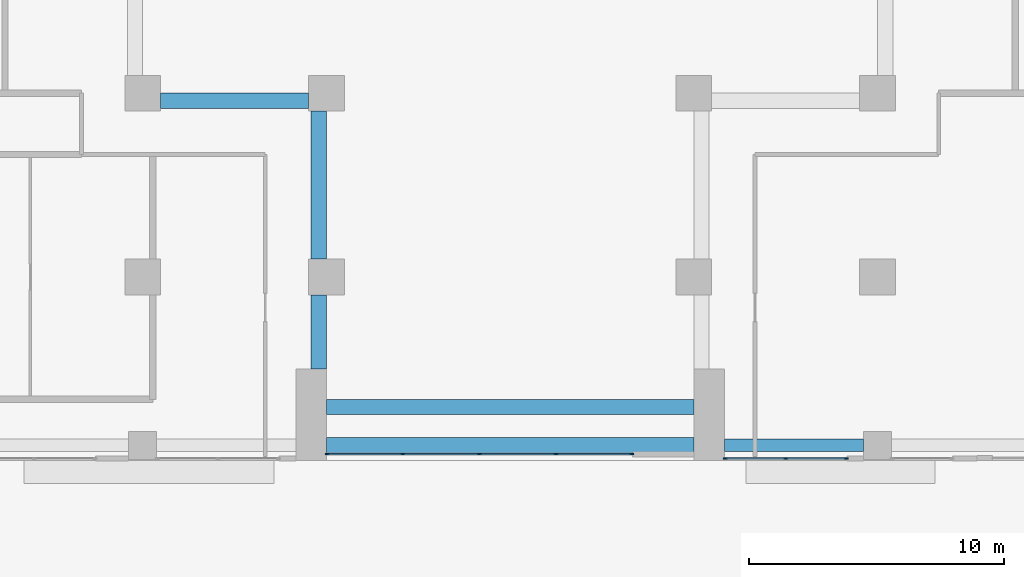
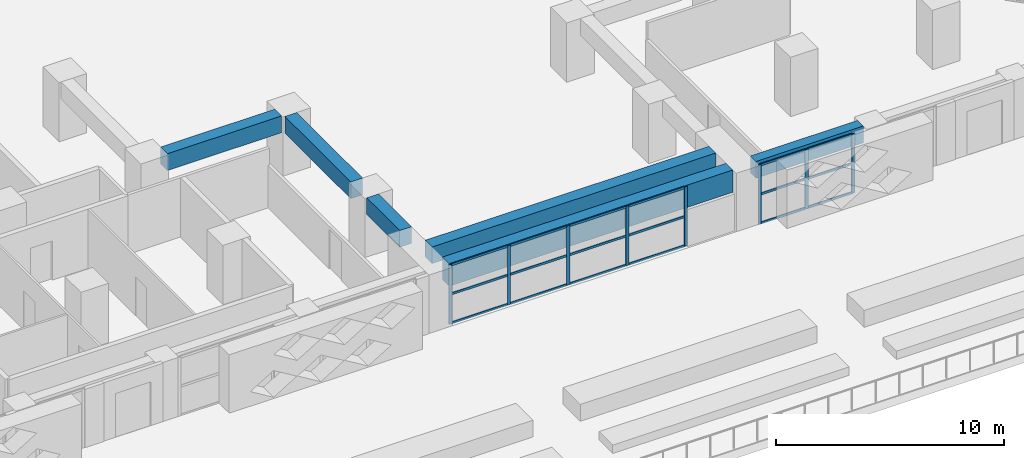
# One storey, part 3 of 24: 26 members, 6 beams, 2 elements without a shape of their own.
"""IFC4 building model written with IfcOpenShell, lengths in metres."""

from ifc_helpers import new_model, si_unit, direction, frame, origin, origin_2d, place, context, subcontext, project, spatial, rectangle, extrude, source, transform, mapped, material, layer, layer_set, material_profile, profile_set, type_object, element, aggregate, save


model = new_model("IFC4")

# Units and contexts
model_context = context("Model", 3, precision=1e-05, world=origin(), true_north=direction((0.0, 1.0)))
body_context = subcontext(model_context, "Body", "Model", "MODEL_VIEW")
ifc_project = project(units=[si_unit("LENGTHUNIT", "METRE"), si_unit("AREAUNIT", "SQUARE_METRE"), si_unit("VOLUMEUNIT", "CUBIC_METRE"), si_unit("PLANEANGLEUNIT", "RADIAN"), si_unit("MASSUNIT", "GRAM", prefix="KILO")], contexts=[model_context])

# Site, building, storey
site_placement = place(None, origin())
site = spatial("IfcSite", under=ifc_project, at=site_placement, CompositionType="ELEMENT")
building_placement = place(site_placement, origin())
building = spatial("IfcBuilding", under=site, at=building_placement, Name="Saffron Iwan Residences", CompositionType="ELEMENT")
storey_placement = place(building_placement, frame((0.0, 0.0, 27.0)))
storey = spatial("IfcBuildingStorey", under=building, at=storey_placement, Name="L05", CompositionType="ELEMENT", Elevation=27.0)

# Beams
ifc_material_1 = material(Name="Concrete C60/75", Category="concrete")
ifc_material_profile_1 = material_profile(ifc_material_1, rectangle(XDim=0.5, YDim=0.89990234375, at=origin_2d()), Name="RC 500x900")
ifc_profile_set_1 = profile_set([ifc_material_profile_1], Name="Concrete C60/75")
beam_type_1 = type_object("IfcBeamType", Name="SPANDREL BEAM RC 500x900 C60/75 TOP 3180", PredefinedType="SPANDREL", material=ifc_profile_set_1)
shared_shape_1 = source(origin(), body_context, "Body", "SweptSolid", [
    extrude(rectangle(XDim=0.5, YDim=0.89990234375, at=origin_2d()), origin(), (0.0, 0.0, 1.0), 5.449951171875),
])
beam_1_placement = place(storey_placement, frame((64.25, 34.199951171875, 2.72998046875), z_axis=(-1.0, 0.0, 0.0), x_axis=(0.0, -1.0, 0.0)))
element("IfcBeam", 1, at=beam_1_placement, inside=storey, type_object=beam_type_1, Name="Spandrel beam", PredefinedType="SPANDREL", context=body_context, shape_type="MappedRepresentation", body=[
    mapped(shared_shape_1, transform((0.0, 0.0, 0.0))),
])
ifc_material_profile_2 = material_profile(ifc_material_1, rectangle(XDim=0.60009765625, YDim=1.199951171875, at=origin_2d()), Name="RC 600x1200")
ifc_profile_set_2 = profile_set([ifc_material_profile_2], Name="Concrete C60/75")
beam_type_2 = type_object("IfcBeamType", Name="LINTEL BEAM RC 600x1200 C60/75 TOP 3180", PredefinedType="LINTEL", material=ifc_profile_set_2)
shared_shape_2 = source(origin(), body_context, "Body", "SweptSolid", [
    extrude(rectangle(XDim=0.60009765625, YDim=1.199951171875, at=origin_2d()), origin(), (0.0, 0.0, 1.0), 14.400146484375),
])
beam_2_placement = place(storey_placement, frame((57.60009765625, 34.199951171875, 2.580078125), z_axis=(-1.0, 0.0, 0.0), x_axis=(0.0, -1.0, 0.0)))
element("IfcBeam", 2, at=beam_2_placement, inside=storey, type_object=beam_type_2, Name="Lintel beam over the iwan", PredefinedType="LINTEL", context=body_context, shape_type="MappedRepresentation", body=[
    mapped(shared_shape_2, transform((0.0, 0.0, 0.0))),
])
ifc_material_profile_3 = material_profile(ifc_material_1, rectangle(XDim=0.60009765625, YDim=0.89990234375, at=origin_2d()), Name="RC 600x900")
ifc_profile_set_3 = profile_set([ifc_material_profile_3], Name="Concrete C60/75")
beam_type_3 = type_object("IfcBeamType", Name="BEAM RC 600x900 C60/75 TOP 3180", PredefinedType="BEAM", material=ifc_profile_set_3)
shared_shape_3 = source(origin(), body_context, "Body", "SweptSolid", [
    extrude(rectangle(XDim=0.60009765625, YDim=0.89990234375, at=origin_2d()), origin(), (0.0, 0.0, 1.0), 14.400146484375),
])
beam_3_placement = place(storey_placement, frame((57.60009765625, 35.699951171875, 2.72998046875), z_axis=(-1.0, 0.0, 0.0), x_axis=(0.0, -1.0, 0.0)))
element("IfcBeam", 3, at=beam_3_placement, inside=storey, type_object=beam_type_3, Name="Atrium edge beam", PredefinedType="BEAM", context=body_context, shape_type="MappedRepresentation", body=[
    mapped(shared_shape_3, transform((0.0, 0.0, 0.0))),
])
shared_shape_4 = source(origin(), body_context, "Body", "SweptSolid", [
    extrude(rectangle(XDim=0.60009765625, YDim=0.89990234375, at=origin_2d()), origin(), (0.0, 0.0, 1.0), 2.900146484375),
])
beam_4_placement = place(storey_placement, frame((42.89990234375, 37.199951171875, 2.72998046875), z_axis=(0.0, 1.0, 0.0), x_axis=(-1.0, 0.0, 0.0)))
element("IfcBeam", 4, at=beam_4_placement, inside=storey, type_object=beam_type_3, Name="Atrium edge beam", PredefinedType="BEAM", context=body_context, shape_type="MappedRepresentation", body=[
    mapped(shared_shape_4, transform((0.0, 0.0, 0.0))),
])
shared_shape_5 = source(origin(), body_context, "Body", "SweptSolid", [
    extrude(rectangle(XDim=0.60009765625, YDim=0.89990234375, at=origin_2d()), origin(), (0.0, 0.0, 1.0), 5.800048828125),
])
for number, where, z_axis, x_axis, name in (
    (5, (42.89990234375, 41.5, 2.72998046875), (0.0, 1.0, 0.0), (-1.0, 0.0, 0.0), "Atrium edge beam"),
    (6, (42.5, 47.699951171875, 2.72998046875), (-1.0, 0.0, 0.0), (0.0, -1.0, 0.0), "Atrium edge beam"),
):
    element("IfcBeam", number, at=place(storey_placement, frame(where, z_axis=z_axis, x_axis=x_axis)), inside=storey, type_object=beam_type_3, Name=name, PredefinedType="BEAM", context=body_context, shape_type="MappedRepresentation", body=[
        mapped(shared_shape_5, transform((0.0, 0.0, 0.0))),
    ])

# Curtain wall, members
ifc_material_2 = material(Name="Clear glass, laminated double glazed", Category="glass")
ifc_layer_1 = layer(ifc_material_2, 0.14990234375)
ifc_layer_set_1 = layer_set([ifc_layer_1], Name="Clear glass, laminated double glazed")
curtain_wall_type_1 = type_object("IfcCurtainWallType", Name="CW-D GARDEN FLOOR GLAZING", PredefinedType="NOTDEFINED", material=ifc_layer_set_1)
curtain_wall_1_placement = place(storey_placement, origin())
curtain_wall_1 = element("IfcCurtainWall", 7, at=curtain_wall_1_placement, inside=storey, type_object=curtain_wall_type_1, Name="Glazing L05 F11.4", PredefinedType="NOTDEFINED")
ifc_material_3 = material(Name="Aluminium 6063-T6", Category="aluminium")
ifc_material_profile_4 = material_profile(ifc_material_3, rectangle(XDim=0.06005859375, YDim=0.159912109375, at=origin_2d()), Name="CW-D MULLION 60 x 160")
ifc_profile_set_4 = profile_set([ifc_material_profile_4], Name="Aluminium 6063-T6")
member_type_1 = type_object("IfcMemberType", Name="CW-D MULLION 60 x 160", PredefinedType="MULLION", material=ifc_profile_set_4)
shared_shape_6 = source(origin(), body_context, "Body", "SweptSolid", [
    extrude(rectangle(XDim=0.06005859375, YDim=0.159912109375, at=origin_2d()), origin(), (0.0, 0.0, 1.0), 3.179931640625),
])
member_1_placement = place(storey_placement, frame((58.830078125, 33.679931640625, 0.0), z_axis=(0.0, 0.0, 1.0), x_axis=(0.0, 1.0, 0.0)))
member_1 = element("IfcMember", 8, at=member_1_placement, type_object=member_type_1, Name="CW-D mullion 1", PredefinedType="MULLION", context=body_context, shape_type="MappedRepresentation", body=[
    mapped(shared_shape_6, transform((0.0, 0.0, 0.0))),
])
member_2_placement = place(storey_placement, frame((61.199951171875, 33.679931640625, 0.0), z_axis=(0.0, 0.0, 1.0), x_axis=(0.0, 1.0, 0.0)))
member_2 = element("IfcMember", 9, at=member_2_placement, type_object=member_type_1, Name="CW-D mullion 2", PredefinedType="MULLION", context=body_context, shape_type="MappedRepresentation", body=[
    mapped(shared_shape_6, transform((0.0, 0.0, 0.0))),
])
member_3_placement = place(storey_placement, frame((63.570068359375, 33.679931640625, 0.0), z_axis=(0.0, 0.0, 1.0), x_axis=(0.0, 1.0, 0.0)))
member_3 = element("IfcMember", 10, at=member_3_placement, type_object=member_type_1, Name="CW-D mullion 3", PredefinedType="MULLION", context=body_context, shape_type="MappedRepresentation", body=[
    mapped(shared_shape_6, transform((0.0, 0.0, 0.0))),
])
ifc_material_profile_5 = material_profile(ifc_material_3, rectangle(XDim=0.06005859375, YDim=0.1201171875, at=origin_2d()), Name="CW-D TRANSOM 60 x 120")
ifc_profile_set_5 = profile_set([ifc_material_profile_5], Name="Aluminium 6063-T6")
member_type_2 = type_object("IfcMemberType", Name="CW-D TRANSOM 60 x 120", PredefinedType="USERDEFINED", material=ifc_profile_set_5)
shared_shape_7 = source(origin(), body_context, "Body", "SweptSolid", [
    extrude(rectangle(XDim=0.06005859375, YDim=0.1201171875, at=origin_2d()), origin(), (0.0, 0.0, 1.0), 2.31005859375),
])
member_4_placement = place(storey_placement, frame((61.22998046875, 33.679931640625, 0.030029296875), z_axis=(1.0, 0.0, 0.0), x_axis=(0.0, 1.0, 0.0)))
member_4 = element("IfcMember", 11, at=member_4_placement, type_object=member_type_2, Name="CW-D transom 2.1", ObjectType="TRANSOM", PredefinedType="USERDEFINED", context=body_context, shape_type="MappedRepresentation", body=[
    mapped(shared_shape_7, transform((0.0, 0.0, 0.0))),
])
member_5_placement = place(storey_placement, frame((61.22998046875, 33.679931640625, 1.590087890625), z_axis=(1.0, 0.0, 0.0), x_axis=(0.0, 1.0, 0.0)))
member_5 = element("IfcMember", 12, at=member_5_placement, type_object=member_type_2, Name="CW-D transom 2.2", ObjectType="TRANSOM", PredefinedType="USERDEFINED", context=body_context, shape_type="MappedRepresentation", body=[
    mapped(shared_shape_7, transform((0.0, 0.0, 0.0))),
])
member_6_placement = place(storey_placement, frame((61.22998046875, 33.679931640625, 3.14990234375), z_axis=(1.0, 0.0, 0.0), x_axis=(0.0, 1.0, 0.0)))
member_6 = element("IfcMember", 13, at=member_6_placement, type_object=member_type_2, Name="CW-D transom 2.3", ObjectType="TRANSOM", PredefinedType="USERDEFINED", context=body_context, shape_type="MappedRepresentation", body=[
    mapped(shared_shape_7, transform((0.0, 0.0, 0.0))),
])
shared_shape_8 = source(origin(), body_context, "Body", "SweptSolid", [
    extrude(rectangle(XDim=0.06005859375, YDim=0.1201171875, at=origin_2d()), origin(), (0.0, 0.0, 1.0), 2.309814453125),
])
member_7_placement = place(storey_placement, frame((58.860107421875, 33.679931640625, 0.030029296875), z_axis=(1.0, 0.0, 0.0), x_axis=(0.0, 1.0, 0.0)))
member_7 = element("IfcMember", 14, at=member_7_placement, type_object=member_type_2, Name="CW-D transom 1.1", ObjectType="TRANSOM", PredefinedType="USERDEFINED", context=body_context, shape_type="MappedRepresentation", body=[
    mapped(shared_shape_8, transform((0.0, 0.0, 0.0))),
])
member_8_placement = place(storey_placement, frame((58.860107421875, 33.679931640625, 1.590087890625), z_axis=(1.0, 0.0, 0.0), x_axis=(0.0, 1.0, 0.0)))
member_8 = element("IfcMember", 15, at=member_8_placement, type_object=member_type_2, Name="CW-D transom 1.2", ObjectType="TRANSOM", PredefinedType="USERDEFINED", context=body_context, shape_type="MappedRepresentation", body=[
    mapped(shared_shape_8, transform((0.0, 0.0, 0.0))),
])
member_9_placement = place(storey_placement, frame((58.860107421875, 33.679931640625, 3.14990234375), z_axis=(1.0, 0.0, 0.0), x_axis=(0.0, 1.0, 0.0)))
member_9 = element("IfcMember", 16, at=member_9_placement, type_object=member_type_2, Name="CW-D transom 1.3", ObjectType="TRANSOM", PredefinedType="USERDEFINED", context=body_context, shape_type="MappedRepresentation", body=[
    mapped(shared_shape_8, transform((0.0, 0.0, 0.0))),
])
aggregate(curtain_wall_1, [member_1, member_2, member_3, member_7, member_8, member_9, member_4, member_5, member_6])

ifc_layer_2 = layer(ifc_material_2, 0.199951171875)
ifc_layer_set_2 = layer_set([ifc_layer_2], Name="Clear glass, laminated double glazed")
curtain_wall_type_2 = type_object("IfcCurtainWallType", Name="CW-B IWAN PORTAL", PredefinedType="NOTDEFINED", material=ifc_layer_set_2)
curtain_wall_2_placement = place(storey_placement, origin())
curtain_wall_2 = element("IfcCurtainWall", 17, at=curtain_wall_2_placement, inside=storey, type_object=curtain_wall_type_2, Name="Iwan portal glazing L05.1", PredefinedType="NOTDEFINED")
ifc_material_profile_6 = material_profile(ifc_material_3, rectangle(XDim=0.06005859375, YDim=0.159912109375, at=origin_2d()), Name="CW-B MULLION 60 x 160")
ifc_profile_set_6 = profile_set([ifc_material_profile_6], Name="Aluminium 6063-T6")
member_type_3 = type_object("IfcMemberType", Name="CW-B MULLION 60 x 160", PredefinedType="MULLION", material=ifc_profile_set_6)
shared_shape_9 = source(origin(), body_context, "Body", "SweptSolid", [
    extrude(rectangle(XDim=0.06005859375, YDim=0.159912109375, at=origin_2d()), origin(), (0.0, 0.0, 1.0), 3.179931640625),
])
member_10_placement = place(storey_placement, frame((43.22998046875, 33.85009765625, 0.0), z_axis=(0.0, 0.0, 1.0), x_axis=(0.0, 1.0, 0.0)))
member_10 = element("IfcMember", 18, at=member_10_placement, type_object=member_type_3, Name="CW-B mullion 1", PredefinedType="MULLION", context=body_context, shape_type="MappedRepresentation", body=[
    mapped(shared_shape_9, transform((0.0, 0.0, 0.0))),
])
member_11_placement = place(storey_placement, frame((46.199951171875, 33.85009765625, 0.0), z_axis=(0.0, 0.0, 1.0), x_axis=(0.0, 1.0, 0.0)))
member_11 = element("IfcMember", 19, at=member_11_placement, type_object=member_type_3, Name="CW-B mullion 2", PredefinedType="MULLION", context=body_context, shape_type="MappedRepresentation", body=[
    mapped(shared_shape_9, transform((0.0, 0.0, 0.0))),
])
member_12_placement = place(storey_placement, frame((49.199951171875, 33.85009765625, 0.0), z_axis=(0.0, 0.0, 1.0), x_axis=(0.0, 1.0, 0.0)))
member_12 = element("IfcMember", 20, at=member_12_placement, type_object=member_type_3, Name="CW-B mullion 3", PredefinedType="MULLION", context=body_context, shape_type="MappedRepresentation", body=[
    mapped(shared_shape_9, transform((0.0, 0.0, 0.0))),
])
member_13_placement = place(storey_placement, frame((52.199951171875, 33.85009765625, 0.0), z_axis=(0.0, 0.0, 1.0), x_axis=(0.0, 1.0, 0.0)))
member_13 = element("IfcMember", 21, at=member_13_placement, type_object=member_type_3, Name="CW-B mullion 4", PredefinedType="MULLION", context=body_context, shape_type="MappedRepresentation", body=[
    mapped(shared_shape_9, transform((0.0, 0.0, 0.0))),
])
member_14_placement = place(storey_placement, frame((55.169921875, 33.85009765625, 0.0), z_axis=(0.0, 0.0, 1.0), x_axis=(0.0, 1.0, 0.0)))
member_14 = element("IfcMember", 22, at=member_14_placement, type_object=member_type_3, Name="CW-B mullion 5", PredefinedType="MULLION", context=body_context, shape_type="MappedRepresentation", body=[
    mapped(shared_shape_9, transform((0.0, 0.0, 0.0))),
])
ifc_material_profile_7 = material_profile(ifc_material_3, rectangle(XDim=0.06005859375, YDim=0.1201171875, at=origin_2d()), Name="CW-B TRANSOM 60 x 120")
ifc_profile_set_7 = profile_set([ifc_material_profile_7], Name="Aluminium 6063-T6")
member_type_4 = type_object("IfcMemberType", Name="CW-B TRANSOM 60 x 120", PredefinedType="USERDEFINED", material=ifc_profile_set_7)
shared_shape_10 = source(origin(), body_context, "Body", "SweptSolid", [
    extrude(rectangle(XDim=0.06005859375, YDim=0.1201171875, at=origin_2d()), origin(), (0.0, 0.0, 1.0), 2.909912109375),
])
member_15_placement = place(storey_placement, frame((43.260009765625, 33.85009765625, 0.030029296875), z_axis=(1.0, 0.0, 0.0), x_axis=(0.0, 1.0, 0.0)))
member_15 = element("IfcMember", 23, at=member_15_placement, type_object=member_type_4, Name="CW-B transom 1.1", ObjectType="TRANSOM", PredefinedType="USERDEFINED", context=body_context, shape_type="MappedRepresentation", body=[
    mapped(shared_shape_10, transform((0.0, 0.0, 0.0))),
])
member_16_placement = place(storey_placement, frame((43.260009765625, 33.85009765625, 1.590087890625), z_axis=(1.0, 0.0, 0.0), x_axis=(0.0, 1.0, 0.0)))
member_16 = element("IfcMember", 24, at=member_16_placement, type_object=member_type_4, Name="CW-B transom 1.2", ObjectType="TRANSOM", PredefinedType="USERDEFINED", context=body_context, shape_type="MappedRepresentation", body=[
    mapped(shared_shape_10, transform((0.0, 0.0, 0.0))),
])
member_17_placement = place(storey_placement, frame((43.260009765625, 33.85009765625, 3.14990234375), z_axis=(1.0, 0.0, 0.0), x_axis=(0.0, 1.0, 0.0)))
member_17 = element("IfcMember", 25, at=member_17_placement, type_object=member_type_4, Name="CW-B transom 1.3", ObjectType="TRANSOM", PredefinedType="USERDEFINED", context=body_context, shape_type="MappedRepresentation", body=[
    mapped(shared_shape_10, transform((0.0, 0.0, 0.0))),
])
member_18_placement = place(storey_placement, frame((52.22998046875, 33.85009765625, 0.030029296875), z_axis=(1.0, 0.0, 0.0), x_axis=(0.0, 1.0, 0.0)))
member_18 = element("IfcMember", 26, at=member_18_placement, type_object=member_type_4, Name="CW-B transom 4.1", ObjectType="TRANSOM", PredefinedType="USERDEFINED", context=body_context, shape_type="MappedRepresentation", body=[
    mapped(shared_shape_10, transform((0.0, 0.0, 0.0))),
])
member_19_placement = place(storey_placement, frame((52.22998046875, 33.85009765625, 1.590087890625), z_axis=(1.0, 0.0, 0.0), x_axis=(0.0, 1.0, 0.0)))
member_19 = element("IfcMember", 27, at=member_19_placement, type_object=member_type_4, Name="CW-B transom 4.2", ObjectType="TRANSOM", PredefinedType="USERDEFINED", context=body_context, shape_type="MappedRepresentation", body=[
    mapped(shared_shape_10, transform((0.0, 0.0, 0.0))),
])
member_20_placement = place(storey_placement, frame((52.22998046875, 33.85009765625, 3.14990234375), z_axis=(1.0, 0.0, 0.0), x_axis=(0.0, 1.0, 0.0)))
member_20 = element("IfcMember", 28, at=member_20_placement, type_object=member_type_4, Name="CW-B transom 4.3", ObjectType="TRANSOM", PredefinedType="USERDEFINED", context=body_context, shape_type="MappedRepresentation", body=[
    mapped(shared_shape_10, transform((0.0, 0.0, 0.0))),
])
shared_shape_11 = source(origin(), body_context, "Body", "SweptSolid", [
    extrude(rectangle(XDim=0.06005859375, YDim=0.1201171875, at=origin_2d()), origin(), (0.0, 0.0, 1.0), 2.93994140625),
])
member_21_placement = place(storey_placement, frame((46.22998046875, 33.85009765625, 0.030029296875), z_axis=(1.0, 0.0, 0.0), x_axis=(0.0, 1.0, 0.0)))
member_21 = element("IfcMember", 29, at=member_21_placement, type_object=member_type_4, Name="CW-B transom 2.1", ObjectType="TRANSOM", PredefinedType="USERDEFINED", context=body_context, shape_type="MappedRepresentation", body=[
    mapped(shared_shape_11, transform((0.0, 0.0, 0.0))),
])
member_22_placement = place(storey_placement, frame((46.22998046875, 33.85009765625, 1.590087890625), z_axis=(1.0, 0.0, 0.0), x_axis=(0.0, 1.0, 0.0)))
member_22 = element("IfcMember", 30, at=member_22_placement, type_object=member_type_4, Name="CW-B transom 2.2", ObjectType="TRANSOM", PredefinedType="USERDEFINED", context=body_context, shape_type="MappedRepresentation", body=[
    mapped(shared_shape_11, transform((0.0, 0.0, 0.0))),
])
member_23_placement = place(storey_placement, frame((46.22998046875, 33.85009765625, 3.14990234375), z_axis=(1.0, 0.0, 0.0), x_axis=(0.0, 1.0, 0.0)))
member_23 = element("IfcMember", 31, at=member_23_placement, type_object=member_type_4, Name="CW-B transom 2.3", ObjectType="TRANSOM", PredefinedType="USERDEFINED", context=body_context, shape_type="MappedRepresentation", body=[
    mapped(shared_shape_11, transform((0.0, 0.0, 0.0))),
])
member_24_placement = place(storey_placement, frame((49.22998046875, 33.85009765625, 0.030029296875), z_axis=(1.0, 0.0, 0.0), x_axis=(0.0, 1.0, 0.0)))
member_24 = element("IfcMember", 32, at=member_24_placement, type_object=member_type_4, Name="CW-B transom 3.1", ObjectType="TRANSOM", PredefinedType="USERDEFINED", context=body_context, shape_type="MappedRepresentation", body=[
    mapped(shared_shape_11, transform((0.0, 0.0, 0.0))),
])
member_25_placement = place(storey_placement, frame((49.22998046875, 33.85009765625, 1.590087890625), z_axis=(1.0, 0.0, 0.0), x_axis=(0.0, 1.0, 0.0)))
member_25 = element("IfcMember", 33, at=member_25_placement, type_object=member_type_4, Name="CW-B transom 3.2", ObjectType="TRANSOM", PredefinedType="USERDEFINED", context=body_context, shape_type="MappedRepresentation", body=[
    mapped(shared_shape_11, transform((0.0, 0.0, 0.0))),
])
member_26_placement = place(storey_placement, frame((49.22998046875, 33.85009765625, 3.14990234375), z_axis=(1.0, 0.0, 0.0), x_axis=(0.0, 1.0, 0.0)))
member_26 = element("IfcMember", 34, at=member_26_placement, type_object=member_type_4, Name="CW-B transom 3.3", ObjectType="TRANSOM", PredefinedType="USERDEFINED", context=body_context, shape_type="MappedRepresentation", body=[
    mapped(shared_shape_11, transform((0.0, 0.0, 0.0))),
])
aggregate(curtain_wall_2, [member_10, member_11, member_12, member_13, member_14, member_15, member_16, member_17, member_21, member_22, member_23, member_24, member_25, member_26, member_18, member_19, member_20])

save(model, "model.ifc")
